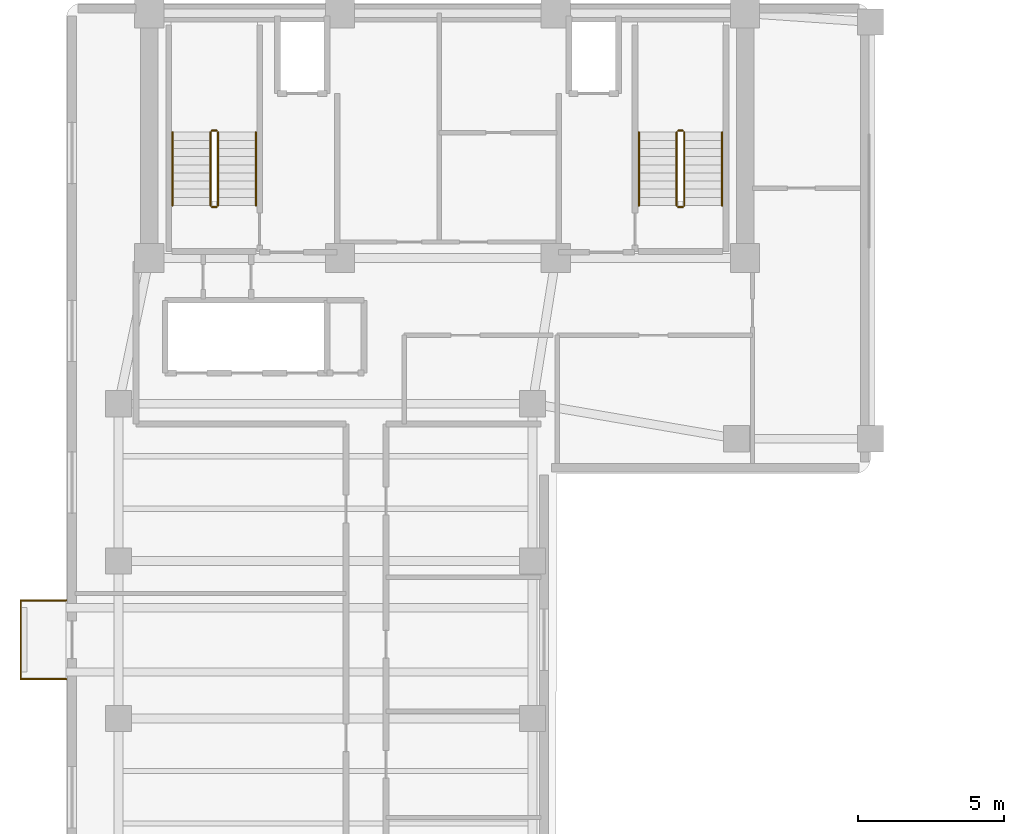
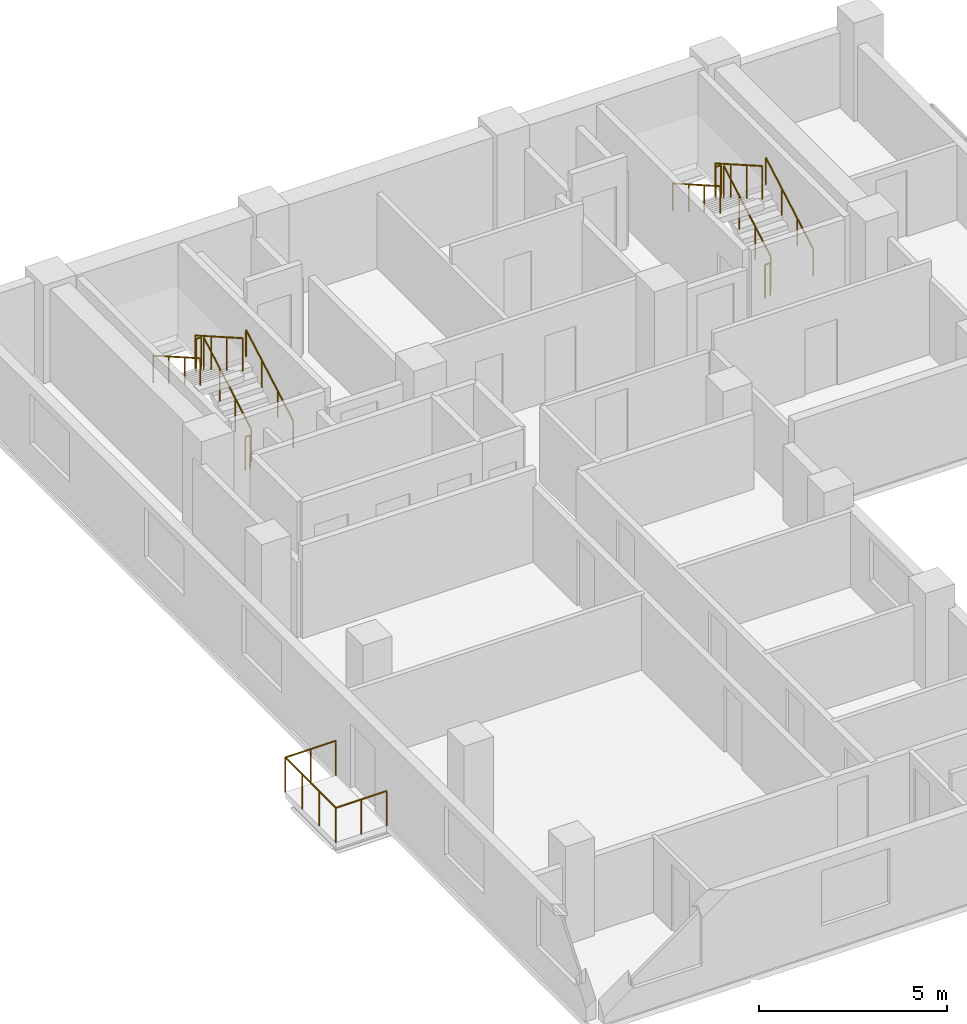
# One storey, part 9 of 10: 15 railings.
"""IFC4 building model written with IfcOpenShell, lengths in metres."""

from ifc_helpers import new_model, si_unit, direction, frame, origin, origin_2d, place, context, subcontext, project, spatial, circle, extrude, material, layer, layer_set, type_object, element, save


model = new_model("IFC4")

# Units and contexts
model_context = context("Model", 3, precision=1e-05, world=origin(), true_north=direction((0.0, 1.0)))
body_context = subcontext(model_context, "Body", "Model", "MODEL_VIEW")
ifc_project = project(units=[si_unit("LENGTHUNIT", "METRE"), si_unit("AREAUNIT", "SQUARE_METRE"), si_unit("VOLUMEUNIT", "CUBIC_METRE"), si_unit("PLANEANGLEUNIT", "RADIAN"), si_unit("MASSUNIT", "GRAM", prefix="KILO")], contexts=[model_context])

# Site, building, storey
site_placement = place(None, origin())
site = spatial("IfcSite", under=ifc_project, at=site_placement, CompositionType="ELEMENT")
building_placement = place(site_placement, origin())
building = spatial("IfcBuilding", under=site, at=building_placement, Name="Kuzgunbayir Cultural Tower", CompositionType="ELEMENT")
storey_placement = place(building_placement, frame((0.0, 0.0, 163.199951171875)))
storey = spatial("IfcBuildingStorey", under=building, at=storey_placement, Name="L47", CompositionType="ELEMENT", Elevation=163.199951171875)

# Railings
ifc_material_1 = material(Name="Laminated Glass and Stainless Steel", Category="steel")
ifc_layer_1 = layer(ifc_material_1, 0.080078125)
ifc_layer_set_1 = layer_set([ifc_layer_1], Name="Laminated Glass and Stainless Steel")
railing_type_1 = type_object("IfcRailingType", Name="RLG-BAL-115", PredefinedType="BALUSTRADE", material=ifc_layer_set_1)
railing_1_placement = place(storey_placement, frame((3.60009765625, 19.35009765625, 0.0)))
element("IfcRailing", 1, at=railing_1_placement, inside=storey, type_object=railing_type_1, Name="L47 Balcony Guard BAL-L47-WA2 Segment 1", PredefinedType="BALUSTRADE", context=body_context, shape_type="SweptSolid", body=[
    extrude(circle(Radius=0.02392578125, at=origin_2d()), frame((0.0, 0.0, 1.1259765625), z_axis=(-1.0, 0.0, 0.0), x_axis=(0.0, -1.0, 0.0)), (0.0, 0.0, 1.0), 1.56005859375),
    extrude(circle(Radius=0.02099609375, at=origin_2d()), origin(), (0.0, 0.0, 1.0), 1.101806640625),
    extrude(circle(Radius=0.02099609375, at=origin_2d()), frame((-0.780029296875, 0.0, 0.0)), (0.0, 0.0, 1.0), 1.101806640625),
    extrude(circle(Radius=0.02099609375, at=origin_2d()), frame((-1.56005859375, 0.0, 0.0)), (0.0, 0.0, 1.0), 1.101806640625),
])
railing_2_placement = place(storey_placement, frame((2.0400390625, 19.35009765625, 0.0)))
element("IfcRailing", 2, at=railing_2_placement, inside=storey, type_object=railing_type_1, Name="L47 Balcony Guard BAL-L47-WA2 Segment 2", PredefinedType="BALUSTRADE", context=body_context, shape_type="SweptSolid", body=[
    extrude(circle(Radius=0.02392578125, at=origin_2d()), frame((0.0, 0.0, 1.1259765625), z_axis=(0.0, 1.0, 0.0), x_axis=(-1.0, 0.0, 0.0)), (0.0, 0.0, 1.0), 2.699951171875),
    extrude(circle(Radius=0.02099609375, at=origin_2d()), origin(), (0.0, 0.0, 1.0), 1.101806640625),
    extrude(circle(Radius=0.02099609375, at=origin_2d()), frame((0.0, 0.89990234375, 0.0)), (0.0, 0.0, 1.0), 1.101806640625),
    extrude(circle(Radius=0.02099609375, at=origin_2d()), frame((0.0, 1.800048828125, 0.0)), (0.0, 0.0, 1.0), 1.101806640625),
    extrude(circle(Radius=0.02099609375, at=origin_2d()), frame((0.0, 2.699951171875, 0.0)), (0.0, 0.0, 1.0), 1.101806640625),
])
railing_3_placement = place(storey_placement, frame((2.0400390625, 22.050048828125, 0.0)))
element("IfcRailing", 3, at=railing_3_placement, inside=storey, type_object=railing_type_1, Name="L47 Balcony Guard BAL-L47-WA2 Segment 3", PredefinedType="BALUSTRADE", context=body_context, shape_type="SweptSolid", body=[
    extrude(circle(Radius=0.02392578125, at=origin_2d()), frame((0.0, 0.0, 1.1259765625), z_axis=(1.0, 0.0, 0.0), x_axis=(0.0, 1.0, 0.0)), (0.0, 0.0, 1.0), 1.56005859375),
    extrude(circle(Radius=0.02099609375, at=origin_2d()), origin(), (0.0, 0.0, 1.0), 1.101806640625),
    extrude(circle(Radius=0.02099609375, at=origin_2d()), frame((0.780029296875, 0.0, 0.0)), (0.0, 0.0, 1.0), 1.101806640625),
    extrude(circle(Radius=0.02099609375, at=origin_2d()), frame((1.56005859375, 0.0, 0.0)), (0.0, 0.0, 1.0), 1.101806640625),
])
ifc_material_2 = material(Name="Brushed Stainless Steel", Category="steel")
ifc_layer_2 = layer(ifc_material_2, 0.050048828125)
ifc_layer_set_2 = layer_set([ifc_layer_2], Name="Brushed Stainless Steel")
railing_type_2 = type_object("IfcRailingType", Name="RLG-STAIR-HANDRAIL", PredefinedType="HANDRAIL", material=ifc_layer_set_2)
railing_4_placement = place(storey_placement, frame((10.110107421875, 35.60009765625, 0.16015625)))
element("IfcRailing", 4, at=railing_4_placement, inside=storey, type_object=railing_type_2, Name="L47 ST-1 stair handrail 1", PredefinedType="HANDRAIL", context=body_context, shape_type="SweptSolid", body=[
    extrude(circle(Radius=0.02392578125, at=origin_2d()), frame((0.0, 0.0, 0.8759765625), z_axis=(0.0, 0.868253494771, 0.496120820787), x_axis=(-1.0, 0.0, 0.0)), (0.0, 0.0, 1.0), 2.90234375),
    extrude(circle(Radius=0.02099609375, at=origin_2d()), origin(), (0.0, 0.0, 1.0), 0.851806640625),
    extrude(circle(Radius=0.02099609375, at=origin_2d()), frame((0.0, 0.840087890625, 0.47998046875)), (0.0, 0.0, 1.0), 0.851806640625),
    extrude(circle(Radius=0.02099609375, at=origin_2d()), frame((0.0, 1.679931640625, 0.9599609375)), (0.0, 0.0, 1.0), 0.851806640625),
    extrude(circle(Radius=0.02099609375, at=origin_2d()), frame((0.0, 2.52001953125, 1.43994140625)), (0.0, 0.0, 1.0), 0.851806640625),
])
railing_5_placement = place(storey_placement, frame((7.25, 38.1201171875, 1.760009765625)))
element("IfcRailing", 5, at=railing_5_placement, inside=storey, type_object=railing_type_2, Name="L47 ST-1 stair handrail 2", PredefinedType="HANDRAIL", context=body_context, shape_type="SweptSolid", body=[
    extrude(circle(Radius=0.02392578125, at=origin_2d()), frame((0.0, 0.0, 0.8759765625), z_axis=(0.0, -0.868253494771, 0.496120820787), x_axis=(1.0, 0.0, 0.0)), (0.0, 0.0, 1.0), 2.90234375),
    extrude(circle(Radius=0.02099609375, at=origin_2d()), origin(), (0.0, 0.0, 1.0), 0.851806640625),
    extrude(circle(Radius=0.02099609375, at=origin_2d()), frame((0.0, -0.840087890625, 0.47998046875)), (0.0, 0.0, 1.0), 0.851806640625),
    extrude(circle(Radius=0.02099609375, at=origin_2d()), frame((0.0, -1.679931640625, 0.9599609375)), (0.0, 0.0, 1.0), 0.851806640625),
    extrude(circle(Radius=0.02099609375, at=origin_2d()), frame((0.0, -2.52001953125, 1.43994140625)), (0.0, 0.0, 1.0), 0.851806640625),
])
railing_6_placement = place(storey_placement, frame((26.110107421875, 35.60009765625, 0.16015625)))
element("IfcRailing", 6, at=railing_6_placement, inside=storey, type_object=railing_type_2, Name="L47 ST-2 stair handrail 1", PredefinedType="HANDRAIL", context=body_context, shape_type="SweptSolid", body=[
    extrude(circle(Radius=0.02392578125, at=origin_2d()), frame((0.0, 0.0, 0.8759765625), z_axis=(0.0, 0.868253494771, 0.496120820787), x_axis=(-1.0, 0.0, 0.0)), (0.0, 0.0, 1.0), 2.90234375),
    extrude(circle(Radius=0.02099609375, at=origin_2d()), origin(), (0.0, 0.0, 1.0), 0.851806640625),
    extrude(circle(Radius=0.02099609375, at=origin_2d()), frame((0.0, 0.840087890625, 0.47998046875)), (0.0, 0.0, 1.0), 0.851806640625),
    extrude(circle(Radius=0.02099609375, at=origin_2d()), frame((0.0, 1.679931640625, 0.9599609375)), (0.0, 0.0, 1.0), 0.851806640625),
    extrude(circle(Radius=0.02099609375, at=origin_2d()), frame((0.0, 2.52001953125, 1.43994140625)), (0.0, 0.0, 1.0), 0.851806640625),
])
railing_7_placement = place(storey_placement, frame((23.25, 38.1201171875, 1.760009765625)))
element("IfcRailing", 7, at=railing_7_placement, inside=storey, type_object=railing_type_2, Name="L47 ST-2 stair handrail 2", PredefinedType="HANDRAIL", context=body_context, shape_type="SweptSolid", body=[
    extrude(circle(Radius=0.02392578125, at=origin_2d()), frame((0.0, 0.0, 0.8759765625), z_axis=(0.0, -0.868253494771, 0.496120820787), x_axis=(1.0, 0.0, 0.0)), (0.0, 0.0, 1.0), 2.90234375),
    extrude(circle(Radius=0.02099609375, at=origin_2d()), origin(), (0.0, 0.0, 1.0), 0.851806640625),
    extrude(circle(Radius=0.02099609375, at=origin_2d()), frame((0.0, -0.840087890625, 0.47998046875)), (0.0, 0.0, 1.0), 0.851806640625),
    extrude(circle(Radius=0.02099609375, at=origin_2d()), frame((0.0, -1.679931640625, 0.9599609375)), (0.0, 0.0, 1.0), 0.851806640625),
    extrude(circle(Radius=0.02099609375, at=origin_2d()), frame((0.0, -2.52001953125, 1.43994140625)), (0.0, 0.0, 1.0), 0.851806640625),
])
ifc_material_3 = material(Name="Painted Steel Balustrade", Category="steel")
ifc_layer_3 = layer(ifc_material_3, 0.06005859375)
ifc_layer_set_3 = layer_set([ifc_layer_3], Name="Painted Steel Balustrade")
railing_type_3 = type_object("IfcRailingType", Name="RLG-WELL-GUARD", PredefinedType="GUARDRAIL", material=ifc_layer_set_3)
railing_8_placement = place(storey_placement, frame((8.81005859375, 35.60009765625, 0.16015625)))
element("IfcRailing", 8, at=railing_8_placement, inside=storey, type_object=railing_type_3, Name="L47 ST-1 stair guard 1", PredefinedType="GUARDRAIL", context=body_context, shape_type="SweptSolid", body=[
    extrude(circle(Radius=0.02392578125, at=origin_2d()), frame((0.0, 0.0, 1.076171875), z_axis=(0.0, 0.868253494771, 0.496120820787), x_axis=(-1.0, 0.0, 0.0)), (0.0, 0.0, 1.0), 2.90234375),
    extrude(circle(Radius=0.02099609375, at=origin_2d()), origin(), (0.0, 0.0, 1.0), 1.052001953125),
    extrude(circle(Radius=0.02099609375, at=origin_2d()), frame((0.0, 0.840087890625, 0.47998046875)), (0.0, 0.0, 1.0), 1.052001953125),
    extrude(circle(Radius=0.02099609375, at=origin_2d()), frame((0.0, 1.679931640625, 0.9599609375)), (0.0, 0.0, 1.0), 1.052001953125),
    extrude(circle(Radius=0.02099609375, at=origin_2d()), frame((0.0, 2.52001953125, 1.43994140625)), (0.0, 0.0, 1.0), 1.052001953125),
])
railing_9_placement = place(storey_placement, frame((8.760009765625, 38.169921875, 1.60009765625)))
element("IfcRailing", 9, at=railing_9_placement, inside=storey, type_object=railing_type_3, Name="L47 ST-1 stair guard 2", PredefinedType="GUARDRAIL", context=body_context, shape_type="SweptSolid", body=[
    extrude(circle(Radius=0.02392578125, at=origin_2d()), frame((0.0, 0.0, 1.076171875), z_axis=(-1.0, 0.0, 0.0), x_axis=(0.0, -1.0, 0.0)), (0.0, 0.0, 1.0), 0.159912109375),
    extrude(circle(Radius=0.02099609375, at=origin_2d()), origin(), (0.0, 0.0, 1.0), 1.052001953125),
    extrude(circle(Radius=0.02099609375, at=origin_2d()), frame((-0.159912109375, 0.0, 0.0)), (0.0, 0.0, 1.0), 1.052001953125),
])
railing_10_placement = place(storey_placement, frame((8.550048828125, 38.1201171875, 1.760009765625)))
element("IfcRailing", 10, at=railing_10_placement, inside=storey, type_object=railing_type_3, Name="L47 ST-1 stair guard 3", PredefinedType="GUARDRAIL", context=body_context, shape_type="SweptSolid", body=[
    extrude(circle(Radius=0.02392578125, at=origin_2d()), frame((0.0, 0.0, 1.076171875), z_axis=(0.0, -0.868253494771, 0.496120820787), x_axis=(1.0, 0.0, 0.0)), (0.0, 0.0, 1.0), 2.90234375),
    extrude(circle(Radius=0.02099609375, at=origin_2d()), origin(), (0.0, 0.0, 1.0), 1.052001953125),
    extrude(circle(Radius=0.02099609375, at=origin_2d()), frame((0.0, -0.840087890625, 0.47998046875)), (0.0, 0.0, 1.0), 1.052001953125),
    extrude(circle(Radius=0.02099609375, at=origin_2d()), frame((0.0, -1.679931640625, 0.9599609375)), (0.0, 0.0, 1.0), 1.052001953125),
    extrude(circle(Radius=0.02099609375, at=origin_2d()), frame((0.0, -2.52001953125, 1.43994140625)), (0.0, 0.0, 1.0), 1.052001953125),
])
railing_11_placement = place(storey_placement, frame((8.760009765625, 35.550048828125, 0.0)))
element("IfcRailing", 11, at=railing_11_placement, inside=storey, type_object=railing_type_3, Name="L47 ST-1 stair guard 4", PredefinedType="GUARDRAIL", context=body_context, shape_type="SweptSolid", body=[
    extrude(circle(Radius=0.02392578125, at=origin_2d()), frame((0.0, 0.0, 1.076171875), z_axis=(-1.0, 0.0, 0.0), x_axis=(0.0, -1.0, 0.0)), (0.0, 0.0, 1.0), 0.159912109375),
    extrude(circle(Radius=0.02099609375, at=origin_2d()), origin(), (0.0, 0.0, 1.0), 1.052001953125),
    extrude(circle(Radius=0.02099609375, at=origin_2d()), frame((-0.159912109375, 0.0, 0.0)), (0.0, 0.0, 1.0), 1.052001953125),
])
railing_12_placement = place(storey_placement, frame((24.81005859375, 35.60009765625, 0.16015625)))
element("IfcRailing", 12, at=railing_12_placement, inside=storey, type_object=railing_type_3, Name="L47 ST-2 stair guard 1", PredefinedType="GUARDRAIL", context=body_context, shape_type="SweptSolid", body=[
    extrude(circle(Radius=0.02392578125, at=origin_2d()), frame((0.0, 0.0, 1.076171875), z_axis=(0.0, 0.868253494771, 0.496120820787), x_axis=(-1.0, 0.0, 0.0)), (0.0, 0.0, 1.0), 2.90234375),
    extrude(circle(Radius=0.02099609375, at=origin_2d()), origin(), (0.0, 0.0, 1.0), 1.052001953125),
    extrude(circle(Radius=0.02099609375, at=origin_2d()), frame((0.0, 0.840087890625, 0.47998046875)), (0.0, 0.0, 1.0), 1.052001953125),
    extrude(circle(Radius=0.02099609375, at=origin_2d()), frame((0.0, 1.679931640625, 0.9599609375)), (0.0, 0.0, 1.0), 1.052001953125),
    extrude(circle(Radius=0.02099609375, at=origin_2d()), frame((0.0, 2.52001953125, 1.43994140625)), (0.0, 0.0, 1.0), 1.052001953125),
])
railing_13_placement = place(storey_placement, frame((24.760009765625, 38.169921875, 1.60009765625)))
element("IfcRailing", 13, at=railing_13_placement, inside=storey, type_object=railing_type_3, Name="L47 ST-2 stair guard 2", PredefinedType="GUARDRAIL", context=body_context, shape_type="SweptSolid", body=[
    extrude(circle(Radius=0.02392578125, at=origin_2d()), frame((0.0, 0.0, 1.076171875), z_axis=(-1.0, 0.0, 0.0), x_axis=(0.0, -1.0, 0.0)), (0.0, 0.0, 1.0), 0.159912109375),
    extrude(circle(Radius=0.02099609375, at=origin_2d()), origin(), (0.0, 0.0, 1.0), 1.052001953125),
    extrude(circle(Radius=0.02099609375, at=origin_2d()), frame((-0.159912109375, 0.0, 0.0)), (0.0, 0.0, 1.0), 1.052001953125),
])
railing_14_placement = place(storey_placement, frame((24.550048828125, 38.1201171875, 1.760009765625)))
element("IfcRailing", 14, at=railing_14_placement, inside=storey, type_object=railing_type_3, Name="L47 ST-2 stair guard 3", PredefinedType="GUARDRAIL", context=body_context, shape_type="SweptSolid", body=[
    extrude(circle(Radius=0.02392578125, at=origin_2d()), frame((0.0, 0.0, 1.076171875), z_axis=(0.0, -0.868253494771, 0.496120820787), x_axis=(1.0, 0.0, 0.0)), (0.0, 0.0, 1.0), 2.90234375),
    extrude(circle(Radius=0.02099609375, at=origin_2d()), origin(), (0.0, 0.0, 1.0), 1.052001953125),
    extrude(circle(Radius=0.02099609375, at=origin_2d()), frame((0.0, -0.840087890625, 0.47998046875)), (0.0, 0.0, 1.0), 1.052001953125),
    extrude(circle(Radius=0.02099609375, at=origin_2d()), frame((0.0, -1.679931640625, 0.9599609375)), (0.0, 0.0, 1.0), 1.052001953125),
    extrude(circle(Radius=0.02099609375, at=origin_2d()), frame((0.0, -2.52001953125, 1.43994140625)), (0.0, 0.0, 1.0), 1.052001953125),
])
railing_15_placement = place(storey_placement, frame((24.760009765625, 35.550048828125, 0.0)))
element("IfcRailing", 15, at=railing_15_placement, inside=storey, type_object=railing_type_3, Name="L47 ST-2 stair guard 4", PredefinedType="GUARDRAIL", context=body_context, shape_type="SweptSolid", body=[
    extrude(circle(Radius=0.02392578125, at=origin_2d()), frame((0.0, 0.0, 1.076171875), z_axis=(-1.0, 0.0, 0.0), x_axis=(0.0, -1.0, 0.0)), (0.0, 0.0, 1.0), 0.159912109375),
    extrude(circle(Radius=0.02099609375, at=origin_2d()), origin(), (0.0, 0.0, 1.0), 1.052001953125),
    extrude(circle(Radius=0.02099609375, at=origin_2d()), frame((-0.159912109375, 0.0, 0.0)), (0.0, 0.0, 1.0), 1.052001953125),
])

save(model, "model.ifc")
